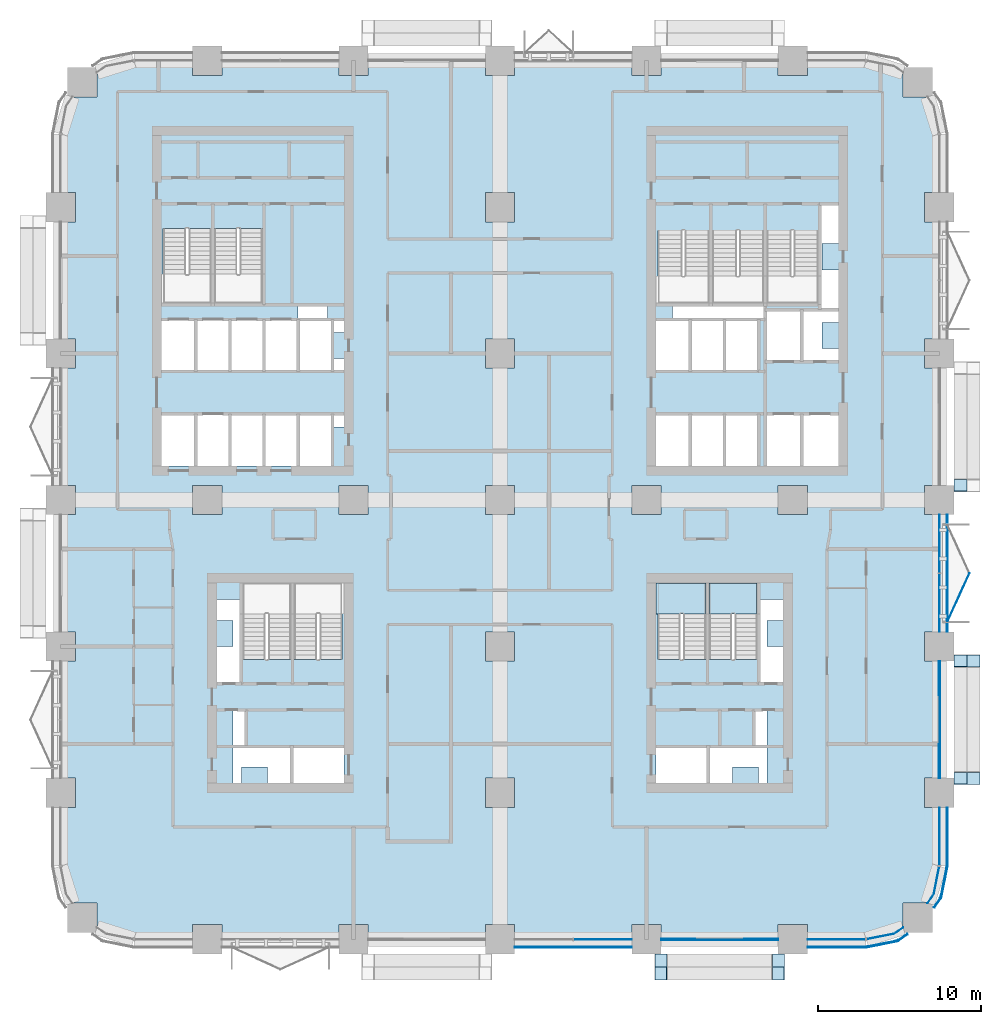
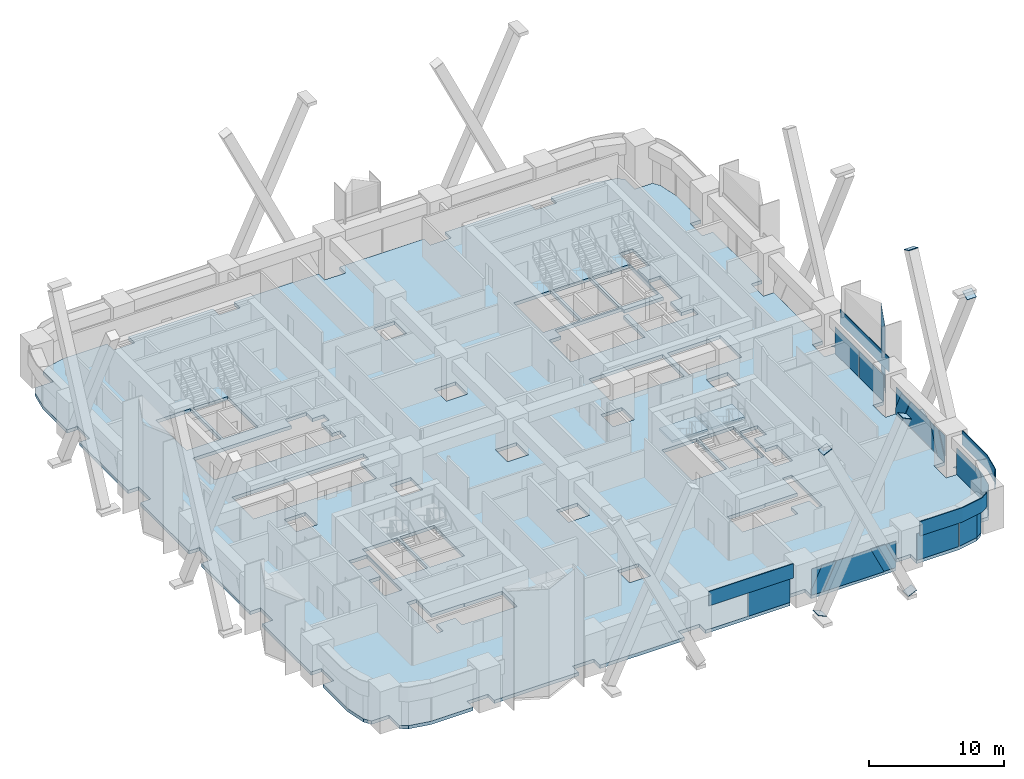
# One storey, part 11 of 23: 31 plates, 3 slabs, 8 elements without a shape of their own.
"""IFC4 building model written with IfcOpenShell, lengths in metres."""

from ifc_helpers import new_model, si_unit, direction, frame, origin, origin_2d, place, context, subcontext, project, spatial, polyline, rectangle, outline, extrude, material, layer, layer_set, type_object, element, aggregate, save


model = new_model("IFC4")

# Units and contexts
model_context = context("Model", 3, precision=1e-05, world=origin(), true_north=direction((0.0, 1.0)))
body_context = subcontext(model_context, "Body", "Model", "MODEL_VIEW")
ifc_project = project(units=[si_unit("LENGTHUNIT", "METRE"), si_unit("AREAUNIT", "SQUARE_METRE"), si_unit("VOLUMEUNIT", "CUBIC_METRE"), si_unit("PLANEANGLEUNIT", "RADIAN"), si_unit("MASSUNIT", "GRAM", prefix="KILO")], contexts=[model_context])

# Site, building, storey
site_placement = place(None, origin())
site = spatial("IfcSite", under=ifc_project, at=site_placement, CompositionType="ELEMENT")
building_placement = place(site_placement, origin())
building = spatial("IfcBuilding", under=site, at=building_placement, Name="Tessera Arch", CompositionType="ELEMENT")
storey_placement = place(building_placement, frame((0.0, 0.0, 46.199951171875)))
storey = spatial("IfcBuildingStorey", under=building, at=storey_placement, Name="L09", CompositionType="ELEMENT", Elevation=46.199951171875)

# Curtain wall, plate
ifc_material_1 = material(Name="CW1 curtain wall")
curtain_wall_type_1 = type_object("IfcCurtainWallType", Name="CW1 curtain wall", PredefinedType="NOTDEFINED", material=ifc_material_1)
curtain_wall_1_placement = place(storey_placement, origin())
curtain_wall_1 = element("IfcCurtainWall", 1, at=curtain_wall_1_placement, inside=storey, type_object=curtain_wall_type_1, Name="CW1 curtain wall S0.0/2 L09", PredefinedType="NOTDEFINED")
ifc_material_2 = material(Name="Clear low-e glass", Category="glass")
ifc_material_3 = material(Name="Clear low-e glass", Category="glass")
ifc_layer_1 = layer(ifc_material_3, 0.028076171875)
ifc_layer_set_1 = layer_set([ifc_layer_1], Name="CW1 glass panel")
plate_type_1 = type_object("IfcPlateType", Name="CW1 glass panel", PredefinedType="CURTAIN_PANEL", material=ifc_layer_set_1)
plate_1_placement = place(storey_placement, frame((33.31494140625, 0.0, 0.0), z_axis=(0.0, 0.0, 1.0), x_axis=(1.0, 0.0, 0.0)))
plate_1 = element("IfcPlate", 2, at=plate_1_placement, type_object=plate_type_1, material=ifc_material_2, Name="CW1 glass panel S0.0/2 1.2.1", PredefinedType="CURTAIN_PANEL", context=body_context, shape_type="SweptSolid", body=[
    extrude(rectangle(XDim=3.570068359375, YDim=0.028076171875, at=origin_2d()), origin(), (0.0, 0.0, 1.0), 2.39990234375),
])

# Curtain wall, plates
curtain_wall_2_placement = place(storey_placement, origin())
curtain_wall_2 = element("IfcCurtainWall", 3, at=curtain_wall_2_placement, inside=storey, type_object=curtain_wall_type_1, Name="CW1 curtain wall E54.0/2 L09", PredefinedType="NOTDEFINED")
plate_2_placement = place(storey_placement, frame((54.0, 20.68505859375, 0.0), z_axis=(0.0, 0.0, 1.0), x_axis=(0.0, 1.0, 0.0)))
plate_2 = element("IfcPlate", 4, at=plate_2_placement, type_object=plate_type_1, material=ifc_material_2, Name="CW1 glass panel E54.0/2 1.1.1", PredefinedType="CURTAIN_PANEL", context=body_context, shape_type="SweptSolid", body=[
    extrude(rectangle(XDim=3.570068359375, YDim=0.028076171875, at=origin_2d()), origin(), (0.0, 0.0, 1.0), 2.39990234375),
])
plate_3_placement = place(storey_placement, frame((54.0, 24.31494140625, 0.0), z_axis=(0.0, 0.0, 1.0), x_axis=(0.0, 1.0, 0.0)))
plate_3 = element("IfcPlate", 5, at=plate_3_placement, type_object=plate_type_1, material=ifc_material_2, Name="CW1 glass panel E54.0/2 1.2.1", PredefinedType="CURTAIN_PANEL", context=body_context, shape_type="SweptSolid", body=[
    extrude(rectangle(XDim=3.570068359375, YDim=0.028076171875, at=origin_2d()), origin(), (0.0, 0.0, 1.0), 2.39990234375),
])

# Plate
ifc_material_4 = material(Name="Pale anodised aluminium panel", Category="aluminium")
ifc_layer_2 = layer(ifc_material_4, 0.06005859375)
ifc_layer_set_2 = layer_set([ifc_layer_2], Name="CW1 spandrel panel")
plate_type_2 = type_object("IfcPlateType", Name="CW1 spandrel panel", PredefinedType="CURTAIN_PANEL", material=ifc_layer_set_2)
plate_4_placement = place(storey_placement, frame((31.5, -0.47998046875, 2.5), z_axis=(0.0, 0.0, 1.0), x_axis=(1.0, 0.0, 0.0)))
plate_4 = element("IfcPlate", 6, at=plate_4_placement, type_object=plate_type_2, Name="CW1 spandrel panel S0.0/2", PredefinedType="CURTAIN_PANEL", context=body_context, shape_type="SweptSolid", body=[
    extrude(rectangle(XDim=7.199951171875, YDim=0.06005859375, at=origin_2d()), origin(), (0.0, 0.0, 1.0), 1.300048828125),
])

aggregate(curtain_wall_1, [plate_1, plate_4])

plate_5_placement = place(storey_placement, frame((54.47998046875, 22.5, 2.5), z_axis=(0.0, 0.0, 1.0), x_axis=(0.0, 1.0, 0.0)))
plate_5 = element("IfcPlate", 7, at=plate_5_placement, type_object=plate_type_2, Name="CW1 spandrel panel E54.0/2", PredefinedType="CURTAIN_PANEL", context=body_context, shape_type="SweptSolid", body=[
    extrude(rectangle(XDim=7.199951171875, YDim=0.06005859375, at=origin_2d()), origin(), (0.0, 0.0, 1.0), 1.300048828125),
])

aggregate(curtain_wall_2, [plate_2, plate_3, plate_5])

# Curtain wall, plates
ifc_material_5 = material(Name="CW2 curtain wall")
curtain_wall_type_2 = type_object("IfcCurtainWallType", Name="CW2 curtain wall", PredefinedType="NOTDEFINED", material=ifc_material_5)
curtain_wall_3_placement = place(storey_placement, origin())
curtain_wall_3 = element("IfcCurtainWall", 8, at=curtain_wall_3_placement, inside=storey, type_object=curtain_wall_type_2, Name="CW2 curtain wall S0.0/4 L09", PredefinedType="NOTDEFINED")
ifc_material_6 = material(Name="Clear low-e glass", Category="glass")
ifc_layer_3 = layer(ifc_material_6, 0.028076171875)
ifc_layer_set_3 = layer_set([ifc_layer_3], Name="CW2 glass panel")
plate_type_3 = type_object("IfcPlateType", Name="CW2 glass panel", PredefinedType="CURTAIN_PANEL", material=ifc_layer_set_3)
plate_6_placement = place(storey_placement, frame((47.679931640625, 0.0, 0.0), z_axis=(0.0, 0.0, 1.0), x_axis=(1.0, 0.0, 0.0)))
plate_6 = element("IfcPlate", 9, at=plate_6_placement, type_object=plate_type_3, material=ifc_material_2, Name="CW2 glass panel S0.0/4 1.1", PredefinedType="CURTAIN_PANEL", context=body_context, shape_type="SweptSolid", body=[
    extrude(rectangle(XDim=3.56005859375, YDim=0.028076171875, at=origin_2d()), origin(), (0.0, 0.0, 1.0), 2.39990234375),
])
plate_7_placement = place(storey_placement, origin())
plate_7 = element("IfcPlate", 10, at=plate_7_placement, type_object=plate_type_3, material=ifc_material_2, Name="CW2 curved glass panel S0.0/4 2.1", PredefinedType="CURTAIN_PANEL", context=body_context, shape_type="SweptSolid", body=[
    extrude(outline(polyline([(51.216552734375, 0.355712890625), (49.53662109375, 0.021484375), (49.5419921875, -0.005859375), (51.2275390625, 0.329345703125), (51.789794921875, 0.705078125), (51.774169921875, 0.728271484375), (51.216552734375, 0.355712890625)])), origin(), (0.0, 0.0, 1.0), 2.400146484375),
])

curtain_wall_4_placement = place(storey_placement, origin())
curtain_wall_4 = element("IfcCurtainWall", 11, at=curtain_wall_4_placement, inside=storey, type_object=curtain_wall_type_2, Name="CW2 curtain wall E54.0/0 L09", PredefinedType="NOTDEFINED")
plate_8_placement = place(storey_placement, frame((54.0, 6.320068359375, 0.0), z_axis=(0.0, 0.0, 1.0), x_axis=(0.0, 1.0, 0.0)))
plate_8 = element("IfcPlate", 12, at=plate_8_placement, type_object=plate_type_3, material=ifc_material_2, Name="CW2 glass panel E54.0/0 1.1", PredefinedType="CURTAIN_PANEL", context=body_context, shape_type="SweptSolid", body=[
    extrude(rectangle(XDim=3.56005859375, YDim=0.028076171875, at=origin_2d()), origin(), (0.0, 0.0, 1.0), 2.39990234375),
])
plate_9_placement = place(storey_placement, origin())
plate_9 = element("IfcPlate", 13, at=plate_9_placement, type_object=plate_type_3, material=ifc_material_2, Name="CW2 curved glass panel E54.0/0 2.1", PredefinedType="CURTAIN_PANEL", context=body_context, shape_type="SweptSolid", body=[
    extrude(outline(polyline([(53.644287109375, 2.783447265625), (53.271728515625, 2.225830078125), (53.294921875, 2.210205078125), (53.670654296875, 2.7724609375), (54.005859375, 4.4580078125), (53.978515625, 4.46337890625), (53.644287109375, 2.783447265625)])), origin(), (0.0, 0.0, 1.0), 2.400146484375),
])

# Plate
ifc_material_7 = material(Name="Pale anodised aluminium panel", Category="aluminium")
ifc_layer_4 = layer(ifc_material_7, 0.06005859375)
ifc_layer_set_4 = layer_set([ifc_layer_4], Name="CW2 spandrel panel")
plate_type_4 = type_object("IfcPlateType", Name="CW2 spandrel panel", PredefinedType="CURTAIN_PANEL", material=ifc_layer_set_4)
plate_10_placement = place(storey_placement, frame((0.0, 0.0, 2.5)))
plate_10 = element("IfcPlate", 14, at=plate_10_placement, type_object=plate_type_4, Name="CW2 spandrel panel S0.0/4", PredefinedType="CURTAIN_PANEL", context=body_context, shape_type="SweptSolid", body=[
    extrude(outline(polyline([(49.499267578125, -0.449951171875), (45.89990234375, -0.449951171875), (45.89990234375, -0.510009765625), (49.500732421875, -0.510009765625), (49.550048828125, -0.507568359375), (49.598876953125, -0.500244140625), (51.322265625, -0.157470703125), (51.3701171875, -0.1455078125), (51.417236328125, -0.128662109375), (51.462646484375, -0.107177734375), (51.5048828125, -0.08203125), (52.0654296875, 0.292724609375), (52.031982421875, 0.342529296875), (51.47265625, -0.03125), (51.434326171875, -0.05419921875), (51.394287109375, -0.0732421875), (51.352783203125, -0.088134765625), (51.30908203125, -0.09912109375), (49.588623046875, -0.441162109375), (49.544189453125, -0.44775390625), (49.499267578125, -0.449951171875)])), origin(), (0.0, 0.0, 1.0), 1.300048828125),
])

aggregate(curtain_wall_3, [plate_6, plate_7, plate_10])

plate_11_placement = place(storey_placement, frame((0.0, 0.0, 2.5)))
plate_11 = element("IfcPlate", 15, at=plate_11_placement, type_object=plate_type_4, Name="CW2 spandrel panel E54.0/0", PredefinedType="CURTAIN_PANEL", context=body_context, shape_type="SweptSolid", body=[
    extrude(outline(polyline([(54.03125, 2.52734375), (53.657470703125, 1.968017578125), (53.707275390625, 1.9345703125), (54.08203125, 2.4951171875), (54.107177734375, 2.537353515625), (54.128662109375, 2.582763671875), (54.1455078125, 2.6298828125), (54.157470703125, 2.677734375), (54.500244140625, 4.401123046875), (54.507568359375, 4.449951171875), (54.510009765625, 4.499267578125), (54.510009765625, 8.10009765625), (54.449951171875, 8.10009765625), (54.449951171875, 4.500732421875), (54.44775390625, 4.455810546875), (54.441162109375, 4.411376953125), (54.09912109375, 2.69091796875), (54.088134765625, 2.647216796875), (54.0732421875, 2.605712890625), (54.05419921875, 2.565673828125), (54.03125, 2.52734375)])), origin(), (0.0, 0.0, 1.0), 1.300048828125),
])

aggregate(curtain_wall_4, [plate_8, plate_9, plate_11])

# Curtain wall, plates
ifc_material_8 = material(Name="CW3 curtain wall")
curtain_wall_type_3 = type_object("IfcCurtainWallType", Name="CW3 curtain wall", PredefinedType="NOTDEFINED", material=ifc_material_8)
curtain_wall_5_placement = place(storey_placement, origin())
curtain_wall_5 = element("IfcCurtainWall", 16, at=curtain_wall_5_placement, inside=storey, type_object=curtain_wall_type_3, Name="CW3 curtain wall S0.0/3 L09", PredefinedType="NOTDEFINED")
ifc_material_9 = material(Name="Pale anodised aluminium panel", Category="aluminium")
ifc_layer_5 = layer(ifc_material_9, 0.06005859375)
ifc_layer_set_5 = layer_set([ifc_layer_5], Name="CW3 diagonal panel")
plate_type_5 = type_object("IfcPlateType", Name="CW3 diagonal panel", PredefinedType="CURTAIN_PANEL", material=ifc_layer_set_5)
plate_12_placement = place(storey_placement, frame((44.10009765625, -0.030029296875, 0.0), z_axis=(0.0, -1.0, 0.0), x_axis=(0.0, 0.0, 1.0)))
plate_12 = element("IfcPlate", 17, at=plate_12_placement, type_object=plate_type_5, Name="CW3 diagonal panel S0.0/3 1", PredefinedType="CURTAIN_PANEL", context=body_context, shape_type="SweptSolid", body=[
    extrude(outline(polyline([(0.0, 0.0), (0.52685546875, 0.0), (2.400146484375, 0.887451171875), (2.400146484375, 2.144287109375), (0.0, 1.007568359375), (0.0, 0.0)])), origin(), (0.0, 0.0, -1.0), 0.06005859375),
])
plate_13_placement = place(storey_placement, frame((39.044189453125, -0.030029296875, 2.400146484375), z_axis=(0.0, -1.0, 0.0), x_axis=(-1.0, 0.0, 0.0)))
plate_13 = element("IfcPlate", 18, at=plate_13_placement, type_object=plate_type_5, Name="CW3 diagonal panel S0.0/3 2", PredefinedType="CURTAIN_PANEL", context=body_context, shape_type="SweptSolid", body=[
    extrude(outline(polyline([(0.0, 0.0), (1.2568359375, 0.0), (2.144287109375, 1.873291015625), (2.144287109375, 2.400146484375), (1.13671875, 2.400146484375), (0.0, 0.0)])), origin(), (0.0, 0.0, -1.0), 0.06005859375),
])

curtain_wall_6_placement = place(storey_placement, origin())
curtain_wall_6 = element("IfcCurtainWall", 19, at=curtain_wall_6_placement, inside=storey, type_object=curtain_wall_type_3, Name="CW3 curtain wall E54.0/1 L09", PredefinedType="NOTDEFINED")
plate_14_placement = place(storey_placement, frame((54.030029296875, 17.10009765625, 0.0), z_axis=(1.0, 0.0, 0.0), x_axis=(0.0, 0.0, 1.0)))
plate_14 = element("IfcPlate", 20, at=plate_14_placement, type_object=plate_type_5, Name="CW3 diagonal panel E54.0/1 1", PredefinedType="CURTAIN_PANEL", context=body_context, shape_type="SweptSolid", body=[
    extrude(outline(polyline([(0.0, 0.0), (0.52685546875, 0.0), (2.400146484375, 0.887451171875), (2.400146484375, 2.144287109375), (0.0, 1.007568359375), (0.0, 0.0)])), origin(), (0.0, 0.0, -1.0), 0.06005859375),
])
plate_15_placement = place(storey_placement, frame((54.030029296875, 12.044189453125, 2.400146484375), z_axis=(1.0, 0.0, 0.0), x_axis=(0.0, -1.0, 0.0)))
plate_15 = element("IfcPlate", 21, at=plate_15_placement, type_object=plate_type_5, Name="CW3 diagonal panel E54.0/1 2", PredefinedType="CURTAIN_PANEL", context=body_context, shape_type="SweptSolid", body=[
    extrude(outline(polyline([(0.0, 0.0), (1.2568359375, 0.0), (2.144287109375, 1.873291015625), (2.144287109375, 2.400146484375), (1.13671875, 2.400146484375), (0.0, 0.0)])), origin(), (0.0, 0.0, -1.0), 0.06005859375),
])

# Plate
ifc_material_10 = material(Name="Clear low-e glass", Category="glass")
ifc_layer_6 = layer(ifc_material_10, 0.028076171875)
ifc_layer_set_6 = layer_set([ifc_layer_6], Name="CW3 glass panel")
plate_type_6 = type_object("IfcPlateType", Name="CW3 glass panel", PredefinedType="CURTAIN_PANEL", material=ifc_layer_set_6)
plate_16_placement = place(storey_placement, frame((36.89990234375, -0.05810546875, 2.400146484375), z_axis=(0.0, -1.0, 0.0), x_axis=(0.0, 0.0, -1.0)))
plate_16 = element("IfcPlate", 22, at=plate_16_placement, type_object=plate_type_6, material=ifc_material_2, Name="CW3 triangulated glass panel S0.0/3 1", PredefinedType="CURTAIN_PANEL", context=body_context, shape_type="SweptSolid", body=[
    extrude(outline(polyline([(0.0, 0.0), (1.873291015625, 0.0), (0.0, 0.887451171875), (0.0, 0.0)])), origin(), (0.0, 0.0, -1.0), 0.028076171875),
])

plate_17_placement = place(storey_placement, frame((41.955810546875, -0.05810546875, 2.400146484375), z_axis=(0.0, -1.0, 0.0), x_axis=(-1.0, 0.0, 0.0)))
plate_17 = element("IfcPlate", 23, at=plate_17_placement, type_object=plate_type_6, material=ifc_material_2, Name="CW3 triangulated glass panel S0.0/3 2", PredefinedType="CURTAIN_PANEL", context=body_context, shape_type="SweptSolid", body=[
    extrude(outline(polyline([(0.0, 0.0), (2.91162109375, 0.0), (4.04833984375, 2.400146484375), (-1.13671875, 2.400146484375), (0.0, 0.0)])), origin(), (0.0, 0.0, -1.0), 0.028076171875),
])

plate_18_placement = place(storey_placement, frame((44.10009765625, -0.05810546875, 2.400146484375), z_axis=(0.0, -1.0, 0.0), x_axis=(-1.0, 0.0, 0.0)))
plate_18 = element("IfcPlate", 24, at=plate_18_placement, type_object=plate_type_6, material=ifc_material_2, Name="CW3 triangulated glass panel S0.0/3 3", PredefinedType="CURTAIN_PANEL", context=body_context, shape_type="SweptSolid", body=[
    extrude(outline(polyline([(0.0, 0.0), (0.887451171875, 0.0), (0.0, 1.873291015625), (0.0, 0.0)])), origin(), (0.0, 0.0, -1.0), 0.028076171875),
])

aggregate(curtain_wall_5, [plate_16, plate_17, plate_18, plate_12, plate_13])

plate_19_placement = place(storey_placement, frame((54.05810546875, 9.89990234375, 2.400146484375), z_axis=(1.0, 0.0, 0.0), x_axis=(0.0, 0.0, -1.0)))
plate_19 = element("IfcPlate", 25, at=plate_19_placement, type_object=plate_type_6, material=ifc_material_2, Name="CW3 triangulated glass panel E54.0/1 1", PredefinedType="CURTAIN_PANEL", context=body_context, shape_type="SweptSolid", body=[
    extrude(outline(polyline([(0.0, 0.0), (1.873291015625, 0.0), (0.0, 0.887451171875), (0.0, 0.0)])), origin(), (0.0, 0.0, -1.0), 0.028076171875),
])

plate_20_placement = place(storey_placement, frame((54.05810546875, 14.955810546875, 2.400146484375), z_axis=(1.0, 0.0, 0.0), x_axis=(0.0, -1.0, 0.0)))
plate_20 = element("IfcPlate", 26, at=plate_20_placement, type_object=plate_type_6, material=ifc_material_2, Name="CW3 triangulated glass panel E54.0/1 2", PredefinedType="CURTAIN_PANEL", context=body_context, shape_type="SweptSolid", body=[
    extrude(outline(polyline([(0.0, 0.0), (2.91162109375, 0.0), (4.04833984375, 2.400146484375), (-1.13671875, 2.400146484375), (0.0, 0.0)])), origin(), (0.0, 0.0, -1.0), 0.028076171875),
])

plate_21_placement = place(storey_placement, frame((54.05810546875, 17.10009765625, 2.400146484375), z_axis=(1.0, 0.0, 0.0), x_axis=(0.0, -1.0, 0.0)))
plate_21 = element("IfcPlate", 27, at=plate_21_placement, type_object=plate_type_6, material=ifc_material_2, Name="CW3 triangulated glass panel E54.0/1 3", PredefinedType="CURTAIN_PANEL", context=body_context, shape_type="SweptSolid", body=[
    extrude(outline(polyline([(0.0, 0.0), (0.887451171875, 0.0), (0.0, 1.873291015625), (0.0, 0.0)])), origin(), (0.0, 0.0, -1.0), 0.028076171875),
])

aggregate(curtain_wall_6, [plate_19, plate_20, plate_21, plate_14, plate_15])

# Plates
ifc_material_11 = material(Name="Steel A572 Gr50", Category="steel")
ifc_layer_7 = layer(ifc_material_11, 0.050048828125)
ifc_layer_set_7 = layer_set([ifc_layer_7], Name="End plate BOX 800x800x60")
plate_type_7 = type_object("IfcPlateType", Name="End plate BOX 800x800x60", PredefinedType="SHEET", material=ifc_layer_set_7)
for number, where, z_axis, x_axis, name in (
    (28, (36.878662109375, -1.300048828125, -0.84521484375), (0.425561453383, 0.0, 0.904929527308), (0.0, 1.0, 0.0), "End plate BOX 800x800x60 S0.0-3 A1 L09"),
    (29, (44.10009765625, -1.300048828125, 14.400146484375), (0.425561453383, 0.0, 0.904929527308), (0.0, 1.0, 0.0), "End plate BOX 800x800x60 S0.0-3 A2 L09"),
    (30, (44.121337890625, -2.10009765625, -0.84521484375), (-0.425561453383, 0.0, 0.904929527308), (0.0, -1.0, 0.0), "End plate BOX 800x800x60 S0.0-3 B1 L09"),
    (31, (36.89990234375, -2.10009765625, 14.400146484375), (-0.425561453383, 0.0, 0.904929527308), (0.0, -1.0, 0.0), "End plate BOX 800x800x60 S0.0-3 B2 L09"),
    (32, (55.300048828125, 9.878662109375, -0.84521484375), (0.0, 0.425561453383, 0.904929527308), (-1.0, 0.0, 0.0), "End plate BOX 800x800x60 E54.0-1 A1 L09"),
    (33, (55.300048828125, 17.10009765625, 14.400146484375), (0.0, 0.425561453383, 0.904929527308), (-1.0, 0.0, 0.0), "End plate BOX 800x800x60 E54.0-1 A2 L09"),
    (34, (56.10009765625, 17.121337890625, -0.84521484375), (0.0, -0.425561453383, 0.904929527308), (1.0, 0.0, 0.0), "End plate BOX 800x800x60 E54.0-1 B1 L09"),
    (35, (56.10009765625, 9.89990234375, 14.400146484375), (0.0, -0.425561453383, 0.904929527308), (1.0, 0.0, 0.0), "End plate BOX 800x800x60 E54.0-1 B2 L09"),
    (36, (55.300048828125, 27.878662109375, -0.84521484375), (0.0, 0.425561453383, 0.904929527308), (-1.0, 0.0, 0.0), "End plate BOX 800x800x60 E54.0-3 A1 L09"),
):
    element("IfcPlate", number, at=place(storey_placement, frame(where, z_axis=z_axis, x_axis=x_axis)), inside=storey, type_object=plate_type_7, Name=name, PredefinedType="SHEET", context=body_context, shape_type="SweptSolid", body=[
        extrude(rectangle(XDim=0.800048828125, YDim=0.800048828125, at=origin_2d()), origin(), (0.0, 0.0, 1.0), 0.0498046875),
    ])

# Slab
ifc_material_12 = material(Name="Concrete C40/50", Category="concrete")
ifc_layer_8 = layer(ifc_material_12, 0.300048828125)
ifc_layer_set_8 = layer_set([ifc_layer_8], Name="Floor slab 300 Concrete C40/50")
slab_type_1 = type_object("IfcSlabType", Name="Floor slab 300 Concrete C40/50", PredefinedType="FLOOR", material=ifc_layer_set_8)
slab_1_placement = place(storey_placement, frame((0.0, 0.0, -0.300048828125)))
element("IfcSlab", 37, at=slab_1_placement, inside=storey, type_object=slab_type_1, Name="Floor slab L09 1", PredefinedType="FLOOR", context=body_context, shape_type="SweptSolid", body=[
    extrude(outline(polyline([(4.5, 0.0), (2.77783203125, 0.342529296875), (2.218017578125, 0.716552734375), (2.218017578125, 2.218017578125), (0.716552734375, 2.218017578125), (0.342529296875, 2.77783203125), (0.0, 4.5), (0.0, 8.10009765625), (0.89990234375, 8.10009765625), (0.89990234375, 9.89990234375), (0.0, 9.89990234375), (0.0, 17.10009765625), (0.89990234375, 17.10009765625), (0.89990234375, 18.89990234375), (0.0, 18.89990234375), (0.0, 26.10009765625), (0.89990234375, 26.10009765625), (0.89990234375, 27.89990234375), (0.0, 27.89990234375), (0.0, 35.10009765625), (0.89990234375, 35.10009765625), (0.89990234375, 36.89990234375), (0.0, 36.89990234375), (0.0, 44.10009765625), (0.89990234375, 44.10009765625), (0.89990234375, 45.89990234375), (0.0, 45.89990234375), (0.0, 49.5), (0.342529296875, 51.22216796875), (0.716552734375, 51.781982421875), (2.218017578125, 51.781982421875), (2.218017578125, 53.283447265625), (2.77783203125, 53.657470703125), (4.5, 54.0), (8.10009765625, 54.0), (8.10009765625, 53.10009765625), (9.89990234375, 53.10009765625), (9.89990234375, 54.0), (17.10009765625, 54.0), (17.10009765625, 53.10009765625), (18.89990234375, 53.10009765625), (18.89990234375, 54.0), (26.10009765625, 54.0), (26.10009765625, 53.10009765625), (27.89990234375, 53.10009765625), (27.89990234375, 54.0), (35.10009765625, 54.0), (35.10009765625, 53.10009765625), (36.89990234375, 53.10009765625), (36.89990234375, 54.0), (44.10009765625, 54.0), (44.10009765625, 53.10009765625), (45.89990234375, 53.10009765625), (45.89990234375, 54.0), (49.5, 54.0), (51.22216796875, 53.657470703125), (51.781982421875, 53.283447265625), (51.781982421875, 51.781982421875), (53.283447265625, 51.781982421875), (53.657470703125, 51.22216796875), (54.0, 49.5), (54.0, 45.89990234375), (53.10009765625, 45.89990234375), (53.10009765625, 44.10009765625), (54.0, 44.10009765625), (54.0, 36.89990234375), (53.10009765625, 36.89990234375), (53.10009765625, 35.10009765625), (54.0, 35.10009765625), (54.0, 27.89990234375), (53.10009765625, 27.89990234375), (53.10009765625, 26.10009765625), (54.0, 26.10009765625), (54.0, 18.89990234375), (53.10009765625, 18.89990234375), (53.10009765625, 17.10009765625), (54.0, 17.10009765625), (54.0, 9.89990234375), (53.10009765625, 9.89990234375), (53.10009765625, 8.10009765625), (54.0, 8.10009765625), (54.0, 4.5), (53.657470703125, 2.77783203125), (53.283447265625, 2.218017578125), (51.781982421875, 2.218017578125), (51.781982421875, 0.716552734375), (51.22216796875, 0.342529296875), (49.5, 0.0), (45.89990234375, 0.0), (45.89990234375, 0.89990234375), (44.10009765625, 0.89990234375), (44.10009765625, 0.0), (36.89990234375, 0.0), (36.89990234375, 0.89990234375), (35.10009765625, 0.89990234375), (35.10009765625, 0.0), (27.89990234375, 0.0), (27.89990234375, 0.89990234375), (26.10009765625, 0.89990234375), (26.10009765625, 0.0), (18.89990234375, 0.0), (18.89990234375, 0.89990234375), (17.10009765625, 0.89990234375), (17.10009765625, 0.0), (9.89990234375, 0.0), (9.89990234375, 0.89990234375), (8.10009765625, 0.89990234375), (8.10009765625, 0.0), (4.5, 0.0)]), holes=[polyline([(11.10009765625, 9.60009765625), (11.10009765625, 10.60009765625), (12.699951171875, 10.60009765625), (12.699951171875, 9.60009765625), (14.199951171875, 9.60009765625), (17.39990234375, 9.60009765625), (17.39990234375, 11.85009765625), (14.199951171875, 11.85009765625), (14.199951171875, 11.89990234375), (11.39990234375, 11.89990234375), (11.39990234375, 14.10009765625), (10.60009765625, 14.10009765625), (10.60009765625, 11.89990234375), (10.60009765625, 9.60009765625), (11.10009765625, 9.60009765625)]), polyline([(9.60009765625, 19.60009765625), (10.60009765625, 19.60009765625), (10.60009765625, 18.0), (9.60009765625, 18.0), (9.60009765625, 15.699951171875), (11.10009765625, 15.699951171875), (11.10009765625, 20.89990234375), (9.60009765625, 20.89990234375), (9.60009765625, 19.60009765625)]), polyline([(12.60009765625, 17.2099609375), (12.60009765625, 17.199951171875), (12.75, 17.199951171875), (12.75, 17.2099609375), (14.14990234375, 17.2099609375), (14.14990234375, 21.699951171875), (11.199951171875, 21.699951171875), (11.199951171875, 17.2099609375), (12.60009765625, 17.2099609375)]), polyline([(8.10009765625, 26.10009765625), (9.89990234375, 26.10009765625), (9.89990234375, 27.89990234375), (8.10009765625, 27.89990234375), (8.10009765625, 26.10009765625)]), polyline([(12.5, 29.10009765625), (14.60009765625, 29.10009765625), (16.699951171875, 29.10009765625), (16.699951171875, 31.5), (17.39990234375, 31.5), (17.39990234375, 32.300048828125), (16.699951171875, 32.300048828125), (14.60009765625, 32.300048828125), (12.5, 32.300048828125), (10.39990234375, 32.300048828125), (8.300048828125, 32.300048828125), (6.199951171875, 32.300048828125), (6.199951171875, 29.10009765625), (8.300048828125, 29.10009765625), (10.39990234375, 29.10009765625), (12.5, 29.10009765625)]), polyline([(10.39990234375, 38.10009765625), (8.300048828125, 38.10009765625), (6.199951171875, 38.10009765625), (6.199951171875, 34.89990234375), (8.300048828125, 34.89990234375), (10.39990234375, 34.89990234375), (12.5, 34.89990234375), (14.60009765625, 34.89990234375), (16.699951171875, 34.89990234375), (17.39990234375, 34.89990234375), (17.39990234375, 35.699951171875), (16.699951171875, 35.699951171875), (16.699951171875, 37.300048828125), (17.39990234375, 37.300048828125), (17.39990234375, 38.10009765625), (16.699951171875, 38.10009765625), (16.39990234375, 38.10009765625), (16.39990234375, 39.0), (14.60009765625, 39.0), (14.60009765625, 38.10009765625), (12.5, 38.10009765625), (10.39990234375, 38.10009765625)]), polyline([(11.0, 43.699951171875), (10.85009765625, 43.699951171875), (10.85009765625, 43.68994140625), (9.449951171875, 43.68994140625), (9.449951171875, 39.199951171875), (12.39990234375, 39.199951171875), (12.39990234375, 43.68994140625), (11.0, 43.68994140625), (11.0, 43.699951171875)]), polyline([(7.85009765625, 43.699951171875), (7.699951171875, 43.699951171875), (7.699951171875, 43.68994140625), (6.300048828125, 43.68994140625), (6.300048828125, 39.199951171875), (9.25, 39.199951171875), (9.25, 43.68994140625), (7.85009765625, 43.68994140625), (7.85009765625, 43.699951171875)]), polyline([(26.10009765625, 8.10009765625), (27.89990234375, 8.10009765625), (27.89990234375, 9.89990234375), (26.10009765625, 9.89990234375), (26.10009765625, 8.10009765625)]), polyline([(39.800048828125, 9.60009765625), (41.300048828125, 9.60009765625), (41.300048828125, 10.60009765625), (42.89990234375, 10.60009765625), (42.89990234375, 9.60009765625), (43.39990234375, 9.60009765625), (43.39990234375, 11.89990234375), (43.39990234375, 14.10009765625), (42.60009765625, 14.10009765625), (42.60009765625, 11.89990234375), (39.800048828125, 11.89990234375), (39.800048828125, 11.85009765625), (36.60009765625, 11.85009765625), (36.60009765625, 9.60009765625), (39.800048828125, 9.60009765625)]), polyline([(26.10009765625, 18.89990234375), (26.10009765625, 17.10009765625), (27.89990234375, 17.10009765625), (27.89990234375, 18.89990234375), (26.10009765625, 18.89990234375)]), polyline([(15.75, 17.199951171875), (15.89990234375, 17.199951171875), (15.89990234375, 17.2099609375), (17.300048828125, 17.2099609375), (17.300048828125, 21.699951171875), (14.35009765625, 21.699951171875), (14.35009765625, 17.2099609375), (15.75, 17.2099609375), (15.75, 17.199951171875)]), polyline([(38.10009765625, 17.199951171875), (38.25, 17.199951171875), (38.25, 17.2099609375), (39.64990234375, 17.2099609375), (39.64990234375, 21.699951171875), (36.699951171875, 21.699951171875), (36.699951171875, 17.2099609375), (38.10009765625, 17.2099609375), (38.10009765625, 17.199951171875)]), polyline([(17.10009765625, 26.10009765625), (18.89990234375, 26.10009765625), (18.89990234375, 27.89990234375), (17.10009765625, 27.89990234375), (17.10009765625, 26.10009765625)]), polyline([(26.10009765625, 27.89990234375), (26.10009765625, 26.10009765625), (27.89990234375, 26.10009765625), (27.89990234375, 27.89990234375), (26.10009765625, 27.89990234375)]), polyline([(35.10009765625, 27.89990234375), (35.10009765625, 26.10009765625), (36.89990234375, 26.10009765625), (36.89990234375, 27.89990234375), (35.10009765625, 27.89990234375)]), polyline([(36.60009765625, 32.300048828125), (36.60009765625, 29.10009765625), (38.699951171875, 29.10009765625), (40.800048828125, 29.10009765625), (42.89990234375, 29.10009765625), (42.89990234375, 32.300048828125), (40.800048828125, 32.300048828125), (38.699951171875, 32.300048828125), (36.60009765625, 32.300048828125)]), polyline([(26.10009765625, 35.10009765625), (27.89990234375, 35.10009765625), (27.89990234375, 36.89990234375), (26.10009765625, 36.89990234375), (26.10009765625, 35.10009765625)]), polyline([(38.699951171875, 34.89990234375), (40.800048828125, 34.89990234375), (42.89990234375, 34.89990234375), (42.89990234375, 38.10009765625), (43.300048828125, 38.10009765625), (43.300048828125, 35.5), (45.550048828125, 35.5), (47.800048828125, 35.5), (47.800048828125, 36.300048828125), (46.800048828125, 36.300048828125), (46.800048828125, 37.89990234375), (47.800048828125, 37.89990234375), (47.800048828125, 38.699951171875), (47.800048828125, 41.14990234375), (46.800048828125, 41.14990234375), (46.800048828125, 42.75), (47.800048828125, 42.75), (47.800048828125, 45.199951171875), (46.64990234375, 45.199951171875), (46.64990234375, 38.699951171875), (45.550048828125, 38.699951171875), (43.300048828125, 38.699951171875), (43.300048828125, 39.0), (37.60009765625, 39.0), (37.60009765625, 38.10009765625), (36.60009765625, 38.10009765625), (36.60009765625, 34.89990234375), (38.699951171875, 34.89990234375)]), polyline([(38.330078125, 43.580078125), (38.219970703125, 43.580078125), (38.219970703125, 43.570068359375), (36.699951171875, 43.570068359375), (36.699951171875, 39.199951171875), (39.85009765625, 39.199951171875), (39.85009765625, 43.570068359375), (38.330078125, 43.570068359375), (38.330078125, 43.580078125)]), polyline([(26.10009765625, 44.10009765625), (27.89990234375, 44.10009765625), (27.89990234375, 45.89990234375), (26.10009765625, 45.89990234375), (26.10009765625, 44.10009765625)]), polyline([(42.89990234375, 15.699951171875), (44.39990234375, 15.699951171875), (44.39990234375, 18.0), (43.39990234375, 18.0), (43.39990234375, 19.60009765625), (44.39990234375, 19.60009765625), (44.39990234375, 20.89990234375), (42.89990234375, 20.89990234375), (42.89990234375, 15.699951171875)]), polyline([(41.25, 17.199951171875), (41.39990234375, 17.199951171875), (41.39990234375, 17.2099609375), (42.800048828125, 17.2099609375), (42.800048828125, 21.699951171875), (39.85009765625, 21.699951171875), (39.85009765625, 17.2099609375), (41.25, 17.2099609375), (41.25, 17.199951171875)]), polyline([(44.10009765625, 26.10009765625), (45.89990234375, 26.10009765625), (45.89990234375, 27.89990234375), (44.10009765625, 27.89990234375), (44.10009765625, 26.10009765625)]), polyline([(45.550048828125, 29.10009765625), (47.800048828125, 29.10009765625), (47.800048828125, 32.300048828125), (45.550048828125, 32.300048828125), (43.300048828125, 32.300048828125), (43.300048828125, 29.10009765625), (45.550048828125, 29.10009765625)]), polyline([(45.030029296875, 43.570068359375), (45.030029296875, 43.580078125), (44.919921875, 43.580078125), (44.919921875, 43.570068359375), (43.39990234375, 43.570068359375), (43.39990234375, 39.199951171875), (46.550048828125, 39.199951171875), (46.550048828125, 43.570068359375), (45.030029296875, 43.570068359375)]), polyline([(41.679931640625, 43.580078125), (41.570068359375, 43.580078125), (41.570068359375, 43.570068359375), (40.050048828125, 43.570068359375), (40.050048828125, 39.199951171875), (43.199951171875, 39.199951171875), (43.199951171875, 43.570068359375), (41.679931640625, 43.570068359375), (41.679931640625, 43.580078125)])]), origin(), (0.0, 0.0, 1.0), 0.300048828125),
])

# Stair, slab
ifc_material_13 = material(Name="Concrete C40/50", Category="concrete")
stair_type = type_object("IfcStairType", Name="Dogleg stair 1400", PredefinedType="HALF_TURN_STAIR", material=ifc_material_13)
stair_1_placement = place(storey_placement, origin())
stair_1 = element("IfcStair", 38, at=stair_1_placement, inside=storey, type_object=stair_type, Name="L09 S3a", PredefinedType="HALF_TURN_STAIR")
ifc_material_14 = material(Name="Concrete C40/50", Category="concrete")
ifc_layer_9 = layer(ifc_material_14, 0.300048828125)
ifc_layer_set_9 = layer_set([ifc_layer_9], Name="Stair landing 300")
slab_type_2 = type_object("IfcSlabType", Name="Stair landing 300", PredefinedType="LANDING", material=ifc_layer_set_9)
slab_2_placement = place(storey_placement, frame((0.0, 0.0, 1.699951171875)))
slab_2 = element("IfcSlab", 39, at=slab_2_placement, type_object=slab_type_2, Name="S3a landing 1", PredefinedType="LANDING", context=body_context, shape_type="SweptSolid", body=[
    extrude(outline(polyline([(39.64990234375, 20.0), (39.64990234375, 21.89990234375), (36.60009765625, 21.89990234375), (36.60009765625, 20.0), (39.64990234375, 20.0)])), origin(), (0.0, 0.0, 1.0), 0.2001953125),
])
aggregate(stair_1, [slab_2])

stair_2_placement = place(storey_placement, origin())
stair_2 = element("IfcStair", 40, at=stair_2_placement, inside=storey, type_object=stair_type, Name="L09 S3b", PredefinedType="HALF_TURN_STAIR")
slab_3_placement = place(storey_placement, frame((0.0, 0.0, 1.699951171875)))
slab_3 = element("IfcSlab", 41, at=slab_3_placement, type_object=slab_type_2, Name="S3b landing 1", PredefinedType="LANDING", context=body_context, shape_type="SweptSolid", body=[
    extrude(outline(polyline([(42.800048828125, 20.0), (42.800048828125, 21.89990234375), (39.85009765625, 21.89990234375), (39.85009765625, 20.0), (42.800048828125, 20.0)])), origin(), (0.0, 0.0, 1.0), 0.2001953125),
])
aggregate(stair_2, [slab_3])

# Plate
ifc_material_15 = material(Name="Clear low-e glass", Category="glass")
ifc_layer_10 = layer(ifc_material_15, 0.028076171875)
ifc_layer_set_10 = layer_set([ifc_layer_10], Name="Window box glass facet")
plate_type_8 = type_object("IfcPlateType", Name="Window box glass facet", PredefinedType="SHEET", material=ifc_layer_set_10)
plate_22_placement = place(storey_placement, frame((55.179931640625, 21.02490234375, 0.22021484375), z_axis=(0.0, 0.0, 1.0), x_axis=(0.413570397858, 0.910472144558, 0.0)))
element("IfcPlate", 42, at=plate_22_placement, inside=storey, type_object=plate_type_8, Name="Window box E54.0/2.0 2x2 glass", PredefinedType="SHEET", context=body_context, shape_type="SweptSolid", body=[
    extrude(rectangle(XDim=3.239990234375, YDim=0.028076171875, at=origin_2d()), origin(), (0.0, 0.0, 1.0), 5.860107421875),
])

save(model, "model.ifc")
